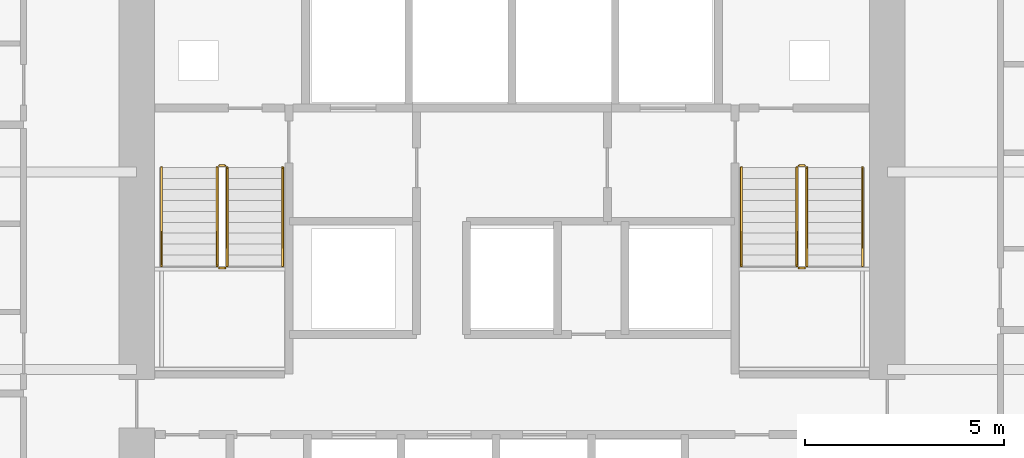
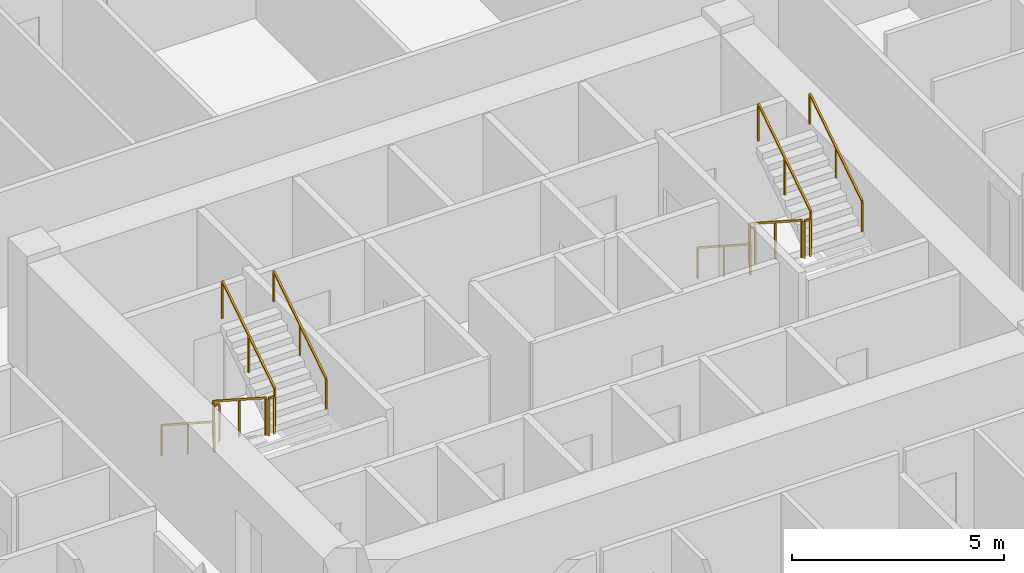
# One storey, part 10 of 11: 12 railings.
"""IFC4 building model written with IfcOpenShell, lengths in metres."""

from ifc_helpers import new_model, si_unit, direction, frame, origin, origin_2d, place, context, subcontext, project, spatial, rectangle, extrude, material, type_object, element, save


model = new_model("IFC4")

# Units and contexts
model_context = context("Model", 3, precision=1e-05, world=origin(), true_north=direction((0.0, 1.0)))
body_context = subcontext(model_context, "Body", "Model", "MODEL_VIEW")
ifc_project = project(units=[si_unit("LENGTHUNIT", "METRE"), si_unit("AREAUNIT", "SQUARE_METRE"), si_unit("VOLUMEUNIT", "CUBIC_METRE"), si_unit("PLANEANGLEUNIT", "RADIAN"), si_unit("MASSUNIT", "GRAM", prefix="KILO")], contexts=[model_context])

# Site, building, storey
site_placement = place(None, origin())
site = spatial("IfcSite", under=ifc_project, at=site_placement, CompositionType="ELEMENT")
building_placement = place(site_placement, origin())
building = spatial("IfcBuilding", under=site, at=building_placement, Name="Cinnabar Lancet Tower", CompositionType="ELEMENT")
storey_placement = place(building_placement, frame((0.0, 0.0, 42.64990234375)))
storey = spatial("IfcBuildingStorey", under=building, at=storey_placement, Name="L10", CompositionType="ELEMENT", Elevation=42.64990234375)

# Railings
ifc_material_1 = material(Name="Painted galvanized steel balustrade", Category="steel")
railing_type_1 = type_object("IfcRailingType", Name="GUARD-STAIR", PredefinedType="GUARDRAIL", material=ifc_material_1)
railing_1_placement = place(storey_placement, frame((24.97509765625, 28.39990234375, 0.177490234375)))
element("IfcRailing", 1, at=railing_1_placement, inside=storey, type_object=railing_type_1, Name="L10 ST-1 stair guard 1", PredefinedType="GUARDRAIL", context=body_context, shape_type="SweptSolid", body=[
    extrude(rectangle(XDim=0.048095703125, YDim=0.048095703125, at=origin_2d()), frame((0.0, 0.0, 1.076171875), z_axis=(0.0, -0.84014559416, 0.542360932049), x_axis=(1.0, 0.0, 0.0)), (0.0, 0.0, 1.0), 2.94580078125),
    extrude(rectangle(XDim=0.0419921875, YDim=0.0419921875, at=origin_2d()), origin(), (0.0, 0.0, 1.0), 1.052001953125),
    extrude(rectangle(XDim=0.0419921875, YDim=0.0419921875, at=origin_2d()), frame((0.0, -1.2373046875, 0.798828125)), (0.0, 0.0, 1.0), 1.052001953125),
    extrude(rectangle(XDim=0.0419921875, YDim=0.0419921875, at=origin_2d()), frame((0.0, -2.474853515625, 1.59765625)), (0.0, 0.0, 1.0), 1.052001953125),
])
railing_2_placement = place(storey_placement, frame((25.02490234375, 25.875, 1.775146484375)))
element("IfcRailing", 2, at=railing_2_placement, inside=storey, type_object=railing_type_1, Name="L10 ST-1 stair guard 2", PredefinedType="GUARDRAIL", context=body_context, shape_type="SweptSolid", body=[
    extrude(rectangle(XDim=0.048095703125, YDim=0.048095703125, at=origin_2d()), frame((0.0, 0.0, 1.076171875), z_axis=(1.0, 0.0, 0.0), x_axis=(0.0, 1.0, 0.0)), (0.0, 0.0, 1.0), 0.150146484375),
    extrude(rectangle(XDim=0.0419921875, YDim=0.0419921875, at=origin_2d()), origin(), (0.0, 0.0, 1.0), 1.052001953125),
    extrude(rectangle(XDim=0.0419921875, YDim=0.0419921875, at=origin_2d()), frame((0.150146484375, 0.0, 0.0)), (0.0, 0.0, 1.0), 1.052001953125),
])
railing_3_placement = place(storey_placement, frame((25.22509765625, 25.925048828125, 1.95263671875)))
element("IfcRailing", 3, at=railing_3_placement, inside=storey, type_object=railing_type_1, Name="L10 ST-1 stair guard 3", PredefinedType="GUARDRAIL", context=body_context, shape_type="SweptSolid", body=[
    extrude(rectangle(XDim=0.048095703125, YDim=0.048095703125, at=origin_2d()), frame((0.0, 0.0, 1.076171875), z_axis=(0.0, 0.840183358697, 0.542302428327), x_axis=(-1.0, 0.0, 0.0)), (0.0, 0.0, 1.0), 2.945556640625),
    extrude(rectangle(XDim=0.0419921875, YDim=0.0419921875, at=origin_2d()), origin(), (0.0, 0.0, 1.0), 1.052001953125),
    extrude(rectangle(XDim=0.0419921875, YDim=0.0419921875, at=origin_2d()), frame((0.0, 1.2373046875, 0.798828125)), (0.0, 0.0, 1.0), 1.052001953125),
    extrude(rectangle(XDim=0.0419921875, YDim=0.0419921875, at=origin_2d()), frame((0.0, 2.474853515625, 1.597412109375)), (0.0, 0.0, 1.0), 1.052001953125),
])
railing_4_placement = place(storey_placement, frame((25.02490234375, 28.449951171875, 0.0)))
element("IfcRailing", 4, at=railing_4_placement, inside=storey, type_object=railing_type_1, Name="L10 ST-1 stair guard 4", PredefinedType="GUARDRAIL", context=body_context, shape_type="SweptSolid", body=[
    extrude(rectangle(XDim=0.048095703125, YDim=0.048095703125, at=origin_2d()), frame((0.0, 0.0, 1.076171875), z_axis=(1.0, 0.0, 0.0), x_axis=(0.0, 1.0, 0.0)), (0.0, 0.0, 1.0), 0.150146484375),
    extrude(rectangle(XDim=0.0419921875, YDim=0.0419921875, at=origin_2d()), origin(), (0.0, 0.0, 1.0), 1.052001953125),
    extrude(rectangle(XDim=0.0419921875, YDim=0.0419921875, at=origin_2d()), frame((0.150146484375, 0.0, 0.0)), (0.0, 0.0, 1.0), 1.052001953125),
])
railing_5_placement = place(storey_placement, frame((39.574951171875, 28.39990234375, 0.177490234375)))
element("IfcRailing", 5, at=railing_5_placement, inside=storey, type_object=railing_type_1, Name="L10 ST-2 stair guard 1", PredefinedType="GUARDRAIL", context=body_context, shape_type="SweptSolid", body=[
    extrude(rectangle(XDim=0.048095703125, YDim=0.048095703125, at=origin_2d()), frame((0.0, 0.0, 1.076171875), z_axis=(0.0, -0.84014559416, 0.542360932049), x_axis=(1.0, 0.0, 0.0)), (0.0, 0.0, 1.0), 2.94580078125),
    extrude(rectangle(XDim=0.0419921875, YDim=0.0419921875, at=origin_2d()), origin(), (0.0, 0.0, 1.0), 1.052001953125),
    extrude(rectangle(XDim=0.0419921875, YDim=0.0419921875, at=origin_2d()), frame((0.0, -1.2373046875, 0.798828125)), (0.0, 0.0, 1.0), 1.052001953125),
    extrude(rectangle(XDim=0.0419921875, YDim=0.0419921875, at=origin_2d()), frame((0.0, -2.474853515625, 1.59765625)), (0.0, 0.0, 1.0), 1.052001953125),
])
railing_6_placement = place(storey_placement, frame((39.625, 25.875, 1.775146484375)))
element("IfcRailing", 6, at=railing_6_placement, inside=storey, type_object=railing_type_1, Name="L10 ST-2 stair guard 2", PredefinedType="GUARDRAIL", context=body_context, shape_type="SweptSolid", body=[
    extrude(rectangle(XDim=0.048095703125, YDim=0.048095703125, at=origin_2d()), frame((0.0, 0.0, 1.076171875), z_axis=(1.0, 0.0, 0.0), x_axis=(0.0, 1.0, 0.0)), (0.0, 0.0, 1.0), 0.14990234375),
    extrude(rectangle(XDim=0.0419921875, YDim=0.0419921875, at=origin_2d()), origin(), (0.0, 0.0, 1.0), 1.052001953125),
    extrude(rectangle(XDim=0.0419921875, YDim=0.0419921875, at=origin_2d()), frame((0.14990234375, 0.0, 0.0)), (0.0, 0.0, 1.0), 1.052001953125),
])
railing_7_placement = place(storey_placement, frame((39.824951171875, 25.925048828125, 1.95263671875)))
element("IfcRailing", 7, at=railing_7_placement, inside=storey, type_object=railing_type_1, Name="L10 ST-2 stair guard 3", PredefinedType="GUARDRAIL", context=body_context, shape_type="SweptSolid", body=[
    extrude(rectangle(XDim=0.048095703125, YDim=0.048095703125, at=origin_2d()), frame((0.0, 0.0, 1.076171875), z_axis=(0.0, 0.840183358697, 0.542302428327), x_axis=(-1.0, 0.0, 0.0)), (0.0, 0.0, 1.0), 2.945556640625),
    extrude(rectangle(XDim=0.0419921875, YDim=0.0419921875, at=origin_2d()), origin(), (0.0, 0.0, 1.0), 1.052001953125),
    extrude(rectangle(XDim=0.0419921875, YDim=0.0419921875, at=origin_2d()), frame((0.0, 1.2373046875, 0.798828125)), (0.0, 0.0, 1.0), 1.052001953125),
    extrude(rectangle(XDim=0.0419921875, YDim=0.0419921875, at=origin_2d()), frame((0.0, 2.474853515625, 1.597412109375)), (0.0, 0.0, 1.0), 1.052001953125),
])
railing_8_placement = place(storey_placement, frame((39.625, 28.449951171875, 0.0)))
element("IfcRailing", 8, at=railing_8_placement, inside=storey, type_object=railing_type_1, Name="L10 ST-2 stair guard 4", PredefinedType="GUARDRAIL", context=body_context, shape_type="SweptSolid", body=[
    extrude(rectangle(XDim=0.048095703125, YDim=0.048095703125, at=origin_2d()), frame((0.0, 0.0, 1.076171875), z_axis=(1.0, 0.0, 0.0), x_axis=(0.0, 1.0, 0.0)), (0.0, 0.0, 1.0), 0.14990234375),
    extrude(rectangle(XDim=0.0419921875, YDim=0.0419921875, at=origin_2d()), origin(), (0.0, 0.0, 1.0), 1.052001953125),
    extrude(rectangle(XDim=0.0419921875, YDim=0.0419921875, at=origin_2d()), frame((0.14990234375, 0.0, 0.0)), (0.0, 0.0, 1.0), 1.052001953125),
])
ifc_material_2 = material(Name="Brushed stainless steel handrail", Category="steel")
railing_type_2 = type_object("IfcRailingType", Name="HANDRAIL-STAIR", PredefinedType="HANDRAIL", material=ifc_material_2)
railing_9_placement = place(storey_placement, frame((23.574951171875, 28.39990234375, 0.177490234375)))
element("IfcRailing", 9, at=railing_9_placement, inside=storey, type_object=railing_type_2, Name="L10 ST-1 stair handrail 1", PredefinedType="HANDRAIL", context=body_context, shape_type="SweptSolid", body=[
    extrude(rectangle(XDim=0.048095703125, YDim=0.048095703125, at=origin_2d()), frame((0.0, 0.0, 0.8759765625), z_axis=(0.0, -0.84014559416, 0.542360932049), x_axis=(1.0, 0.0, 0.0)), (0.0, 0.0, 1.0), 2.94580078125),
    extrude(rectangle(XDim=0.0419921875, YDim=0.0419921875, at=origin_2d()), origin(), (0.0, 0.0, 1.0), 0.851806640625),
    extrude(rectangle(XDim=0.0419921875, YDim=0.0419921875, at=origin_2d()), frame((0.0, -1.2373046875, 0.798828125)), (0.0, 0.0, 1.0), 0.851806640625),
    extrude(rectangle(XDim=0.0419921875, YDim=0.0419921875, at=origin_2d()), frame((0.0, -2.474853515625, 1.59765625)), (0.0, 0.0, 1.0), 0.851806640625),
])
railing_10_placement = place(storey_placement, frame((26.625, 25.925048828125, 1.95263671875)))
element("IfcRailing", 10, at=railing_10_placement, inside=storey, type_object=railing_type_2, Name="L10 ST-1 stair handrail 2", PredefinedType="HANDRAIL", context=body_context, shape_type="SweptSolid", body=[
    extrude(rectangle(XDim=0.048095703125, YDim=0.048095703125, at=origin_2d()), frame((0.0, 0.0, 0.8759765625), z_axis=(0.0, 0.840183358697, 0.542302428327), x_axis=(-1.0, 0.0, 0.0)), (0.0, 0.0, 1.0), 2.945556640625),
    extrude(rectangle(XDim=0.0419921875, YDim=0.0419921875, at=origin_2d()), origin(), (0.0, 0.0, 1.0), 0.851806640625),
    extrude(rectangle(XDim=0.0419921875, YDim=0.0419921875, at=origin_2d()), frame((0.0, 1.2373046875, 0.798828125)), (0.0, 0.0, 1.0), 0.851806640625),
    extrude(rectangle(XDim=0.0419921875, YDim=0.0419921875, at=origin_2d()), frame((0.0, 2.474853515625, 1.597412109375)), (0.0, 0.0, 1.0), 0.851806640625),
])
railing_11_placement = place(storey_placement, frame((38.175048828125, 28.39990234375, 0.177490234375)))
element("IfcRailing", 11, at=railing_11_placement, inside=storey, type_object=railing_type_2, Name="L10 ST-2 stair handrail 1", PredefinedType="HANDRAIL", context=body_context, shape_type="SweptSolid", body=[
    extrude(rectangle(XDim=0.048095703125, YDim=0.048095703125, at=origin_2d()), frame((0.0, 0.0, 0.8759765625), z_axis=(0.0, -0.84014559416, 0.542360932049), x_axis=(1.0, 0.0, 0.0)), (0.0, 0.0, 1.0), 2.94580078125),
    extrude(rectangle(XDim=0.0419921875, YDim=0.0419921875, at=origin_2d()), origin(), (0.0, 0.0, 1.0), 0.851806640625),
    extrude(rectangle(XDim=0.0419921875, YDim=0.0419921875, at=origin_2d()), frame((0.0, -1.2373046875, 0.798828125)), (0.0, 0.0, 1.0), 0.851806640625),
    extrude(rectangle(XDim=0.0419921875, YDim=0.0419921875, at=origin_2d()), frame((0.0, -2.474853515625, 1.59765625)), (0.0, 0.0, 1.0), 0.851806640625),
])
railing_12_placement = place(storey_placement, frame((41.22509765625, 25.925048828125, 1.95263671875)))
element("IfcRailing", 12, at=railing_12_placement, inside=storey, type_object=railing_type_2, Name="L10 ST-2 stair handrail 2", PredefinedType="HANDRAIL", context=body_context, shape_type="SweptSolid", body=[
    extrude(rectangle(XDim=0.048095703125, YDim=0.048095703125, at=origin_2d()), frame((0.0, 0.0, 0.8759765625), z_axis=(0.0, 0.840183358697, 0.542302428327), x_axis=(-1.0, 0.0, 0.0)), (0.0, 0.0, 1.0), 2.945556640625),
    extrude(rectangle(XDim=0.0419921875, YDim=0.0419921875, at=origin_2d()), origin(), (0.0, 0.0, 1.0), 0.851806640625),
    extrude(rectangle(XDim=0.0419921875, YDim=0.0419921875, at=origin_2d()), frame((0.0, 1.2373046875, 0.798828125)), (0.0, 0.0, 1.0), 0.851806640625),
    extrude(rectangle(XDim=0.0419921875, YDim=0.0419921875, at=origin_2d()), frame((0.0, 2.474853515625, 1.597412109375)), (0.0, 0.0, 1.0), 0.851806640625),
])

save(model, "model.ifc")
